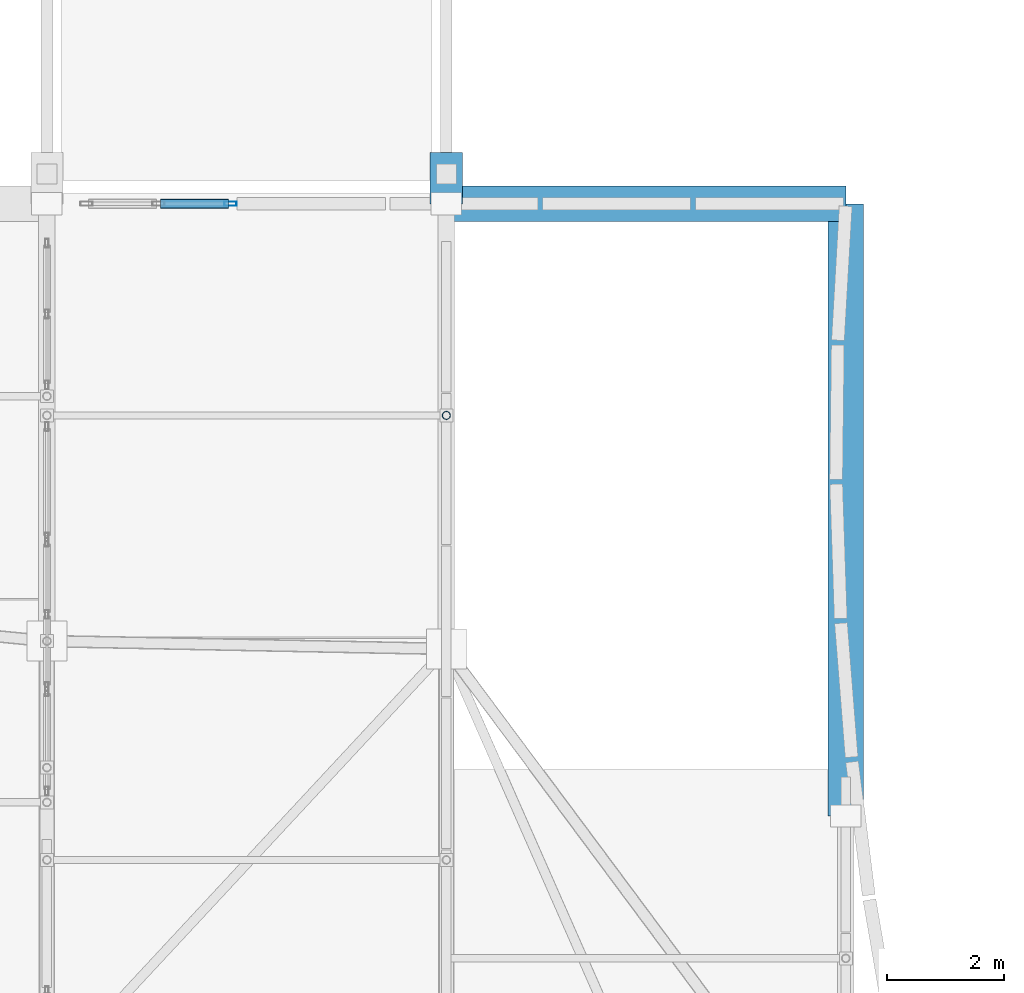
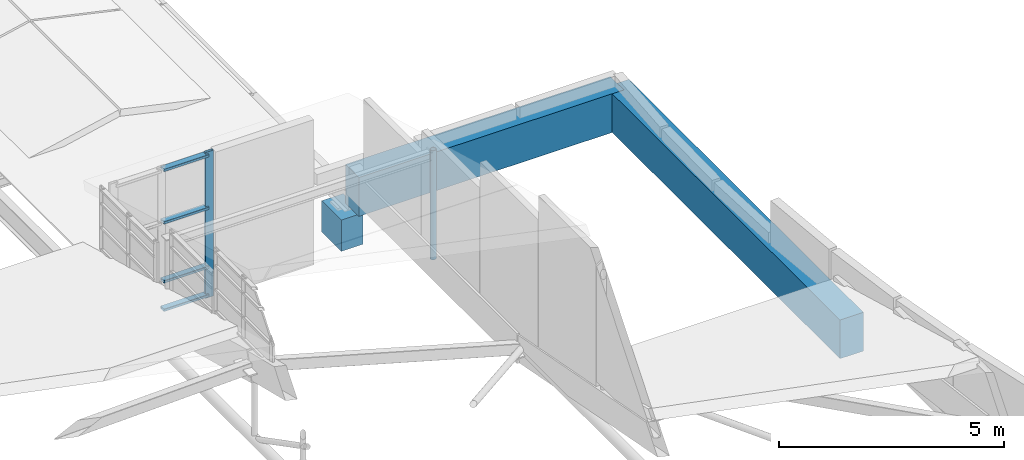
# One storey, part 62 of 188: 6 members, 3 beams, 1 element without a shape of its own.
"""IFC4 building model written with IfcOpenShell, lengths in metres."""

from ifc_helpers import new_model, si_unit, direction, frame, origin, origin_2d, place, context, subcontext, project, spatial, rectangle, hollow_rectangle, hollow_circle, extrude, material, layer, layer_set, material_profile, profile_set, type_object, element, aggregate, save


model = new_model("IFC4")

# Units and contexts
model_context = context("Model", 3, precision=1e-05, world=origin(), true_north=direction((0.0, 1.0)))
body_context = subcontext(model_context, "Body", "Model", "MODEL_VIEW")
ifc_project = project(units=[si_unit("LENGTHUNIT", "METRE"), si_unit("AREAUNIT", "SQUARE_METRE"), si_unit("VOLUMEUNIT", "CUBIC_METRE"), si_unit("PLANEANGLEUNIT", "RADIAN"), si_unit("MASSUNIT", "GRAM", prefix="KILO")], contexts=[model_context])

# Site, building, storey
site_placement = place(None, origin())
site = spatial("IfcSite", under=ifc_project, at=site_placement, CompositionType="ELEMENT")
building_placement = place(site_placement, origin())
building = spatial("IfcBuilding", under=site, at=building_placement, Name="Kisaragi Civic Commons", CompositionType="ELEMENT")
storey_placement = place(building_placement, frame((0.0, 0.0, 9.60009765625)))
storey = spatial("IfcBuildingStorey", under=building, at=storey_placement, Name="L02", CompositionType="ELEMENT", Elevation=9.60009765625)

# Beam
ifc_material_1 = material(Name="Concrete Fc36", Category="concrete")
ifc_material_profile_1 = material_profile(ifc_material_1, rectangle(XDim=0.550048828125, YDim=0.85009765625, at=origin_2d()), Name="RC-550x850", Category="concrete")
ifc_profile_set_1 = profile_set([ifc_material_profile_1], Name="Concrete Fc36")
beam_type_1 = type_object("IfcBeamType", Name="CB-01", PredefinedType="BEAM", material=ifc_profile_set_1)
beam_1_placement = place(storey_placement, frame((20.39990234375, 62.39990234375, -1.97998046875), z_axis=(0.0, 1.0, 0.0), x_axis=(-1.0, 0.0, 0.0)))
element("IfcBeam", 1, at=beam_1_placement, inside=storey, type_object=beam_type_1, Name="BR-V2-V1 L02 seismic corbel 85", PredefinedType="BEAM", context=body_context, shape_type="SweptSolid", body=[
    extrude(rectangle(XDim=0.550048828125, YDim=0.85009765625, at=origin_2d()), origin(), (0.0, 0.0, 1.0), 0.8701171875),
])

# Curtain wall, members
ifc_material_2 = material(Name="Thermally broken anodized aluminium and low-E double glazing", Category="aluminium")
ifc_layer = layer(ifc_material_2, 0.2099609375, Name="Thermally broken anodized aluminium and low-E double glazing", Category="aluminium")
ifc_layer_set = layer_set([ifc_layer], Name="Thermally broken anodized aluminium and low-E double glazing")
curtain_wall_type = type_object("IfcCurtainWallType", Name="CW-02", PredefinedType="NOTDEFINED", material=ifc_layer_set)
curtain_wall_placement = place(storey_placement, origin())
curtain_wall = element("IfcCurtainWall", 2, at=curtain_wall_placement, inside=storey, type_object=curtain_wall_type, Name="L02 curtain wall CW-02 CW-GAB-V1-174", PredefinedType="NOTDEFINED")
ifc_material_profile_2 = material_profile(ifc_material_2, hollow_rectangle(XDim=0.070068359375, YDim=0.2099609375, WallThickness=0.0048828125, InnerFilletRadius=0.0048828125, OuterFilletRadius=0.010009765625, at=origin_2d()), Name="CWM-70x210x5", Category="aluminium")
ifc_profile_set_2 = profile_set([ifc_material_profile_2], Name="Thermally broken anodized aluminium and low-E double glazing")
member_type_1 = type_object("IfcMemberType", Name="CWM-03", PredefinedType="MULLION", material=ifc_profile_set_2)
member_1_placement = place(storey_placement, frame((16.72509765625, 62.39990234375, -2.43408203125), z_axis=(0.0, 0.0, 1.0), x_axis=(0.0, 1.0, 0.0)))
member_1 = element("IfcMember", 3, at=member_1_placement, type_object=member_type_1, Name="CW-02 mullion 3", PredefinedType="MULLION", context=body_context, shape_type="SweptSolid", body=[
    extrude(hollow_rectangle(XDim=0.070068359375, YDim=0.2099609375, WallThickness=0.0048828125, InnerFilletRadius=0.0048828125, OuterFilletRadius=0.010009765625, at=origin_2d()), origin(), (0.0, 0.0, 1.0), 3.95263671875),
])
ifc_material_profile_3 = material_profile(ifc_material_2, hollow_rectangle(XDim=0.159912109375, YDim=0.070068359375, WallThickness=0.0048828125, InnerFilletRadius=0.0048828125, OuterFilletRadius=0.010009765625, at=origin_2d()), Name="CWT-70x160x5", Category="aluminium")
ifc_profile_set_3 = profile_set([ifc_material_profile_3], Name="Thermally broken anodized aluminium and low-E double glazing")
member_type_2 = type_object("IfcMemberType", Name="CWT-03", PredefinedType="USERDEFINED", material=ifc_profile_set_3)
member_2_placement = place(storey_placement, frame((15.534912109375, 62.39990234375, -2.35400390625), z_axis=(1.0, 0.0, 0.0), x_axis=(0.0, 1.0, 0.0)))
member_2 = element("IfcMember", 4, at=member_2_placement, type_object=member_type_2, Name="CW-02 transom 2.1", ObjectType="TRANSOM", PredefinedType="USERDEFINED", context=body_context, shape_type="SweptSolid", body=[
    extrude(hollow_rectangle(XDim=0.159912109375, YDim=0.070068359375, WallThickness=0.0048828125, InnerFilletRadius=0.0048828125, OuterFilletRadius=0.010009765625, at=origin_2d()), origin(), (0.0, 0.0, 1.0), 1.155029296875),
])
member_3_placement = place(storey_placement, frame((15.534912109375, 62.39990234375, -1.583984375), z_axis=(1.0, 0.0, 0.0), x_axis=(0.0, 1.0, 0.0)))
member_3 = element("IfcMember", 5, at=member_3_placement, type_object=member_type_2, Name="CW-02 transom 2.2", ObjectType="TRANSOM", PredefinedType="USERDEFINED", context=body_context, shape_type="SweptSolid", body=[
    extrude(hollow_rectangle(XDim=0.159912109375, YDim=0.070068359375, WallThickness=0.0048828125, InnerFilletRadius=0.0048828125, OuterFilletRadius=0.010009765625, at=origin_2d()), origin(), (0.0, 0.0, 1.0), 1.155029296875),
])
member_4_placement = place(storey_placement, frame((15.534912109375, 62.39990234375, 0.015869140625), z_axis=(1.0, 0.0, 0.0), x_axis=(0.0, 1.0, 0.0)))
member_4 = element("IfcMember", 6, at=member_4_placement, type_object=member_type_2, Name="CW-02 transom 2.3", ObjectType="TRANSOM", PredefinedType="USERDEFINED", context=body_context, shape_type="SweptSolid", body=[
    extrude(hollow_rectangle(XDim=0.159912109375, YDim=0.070068359375, WallThickness=0.0048828125, InnerFilletRadius=0.0048828125, OuterFilletRadius=0.010009765625, at=origin_2d()), origin(), (0.0, 0.0, 1.0), 1.155029296875),
])
member_5_placement = place(storey_placement, frame((15.534912109375, 62.39990234375, 1.438720703125), z_axis=(1.0, 0.0, 0.0), x_axis=(0.0, 1.0, 0.0)))
member_5 = element("IfcMember", 7, at=member_5_placement, type_object=member_type_2, Name="CW-02 transom 2.4", ObjectType="TRANSOM", PredefinedType="USERDEFINED", context=body_context, shape_type="SweptSolid", body=[
    extrude(hollow_rectangle(XDim=0.159912109375, YDim=0.070068359375, WallThickness=0.0048828125, InnerFilletRadius=0.0048828125, OuterFilletRadius=0.010009765625, at=origin_2d()), origin(), (0.0, 0.0, 1.0), 1.155029296875),
])
aggregate(curtain_wall, [member_1, member_2, member_3, member_4, member_5])

# Beams
ifc_material_profile_4 = material_profile(ifc_material_1, rectangle(XDim=0.60009765625, YDim=1.050048828125, at=origin_2d()), Name="RC-600x1050", Category="concrete")
ifc_profile_set_4 = profile_set([ifc_material_profile_4], Name="Concrete Fc36")
beam_type_2 = type_object("IfcBeamType", Name="G-06", PredefinedType="BEAM", material=ifc_profile_set_4)
beam_2_placement = place(storey_placement, frame((20.39990234375, 62.39990234375, -0.84521484375), z_axis=(1.0, 0.0, 0.0), x_axis=(0.0, 1.0, 0.0)))
element("IfcBeam", 8, at=beam_2_placement, inside=storey, type_object=beam_type_2, Name="L02 girder G-06 247", PredefinedType="BEAM", context=body_context, shape_type="SweptSolid", body=[
    extrude(rectangle(XDim=0.60009765625, YDim=1.050048828125, at=origin_2d()), origin(), (0.0, 0.0, 1.0), 6.800048828125),
])
beam_3_placement = place(storey_placement, frame((27.199951171875, 51.97900390625, -0.84521484375), z_axis=(0.0, 1.0, 0.0), x_axis=(-1.0, 0.0, 0.0)))
element("IfcBeam", 9, at=beam_3_placement, inside=storey, type_object=beam_type_2, Name="L02 girder G-06 248", PredefinedType="BEAM", context=body_context, shape_type="SweptSolid", body=[
    extrude(rectangle(XDim=0.60009765625, YDim=1.050048828125, at=origin_2d()), origin(), (0.0, 0.0, 1.0), 10.4208984375),
])

# Member
ifc_material_3 = material(Name="Steel SN490 (SN490B)", Category="steel")
ifc_material_profile_5 = material_profile(ifc_material_3, hollow_circle(Radius=0.06982421875, WallThickness=0.006103515625, at=origin_2d()), Name="CHS-139.8x6.0", Category="steel")
ifc_profile_set_5 = profile_set([ifc_material_profile_5], Name="Steel SN490 (SN490B)")
member_type_3 = type_object("IfcMemberType", Name="ST-H1", PredefinedType="STRUT", material=ifc_profile_set_5)
member_6_placement = place(storey_placement, frame((20.39990234375, 58.79638671875, -0.49951171875), z_axis=(0.0, 0.0, 1.0), x_axis=(1.0, 0.0, 0.0)))
element("IfcMember", 10, at=member_6_placement, inside=storey, type_object=member_type_3, Name="V1 clerestory monitor horizontal tie strut 3.3.8", PredefinedType="STRUT", context=body_context, shape_type="SweptSolid", body=[
    extrude(hollow_circle(Radius=0.06982421875, WallThickness=0.006103515625, at=origin_2d()), origin(), (0.0, 0.0, 1.0), 2.960693359375),
])

save(model, "model.ifc")
